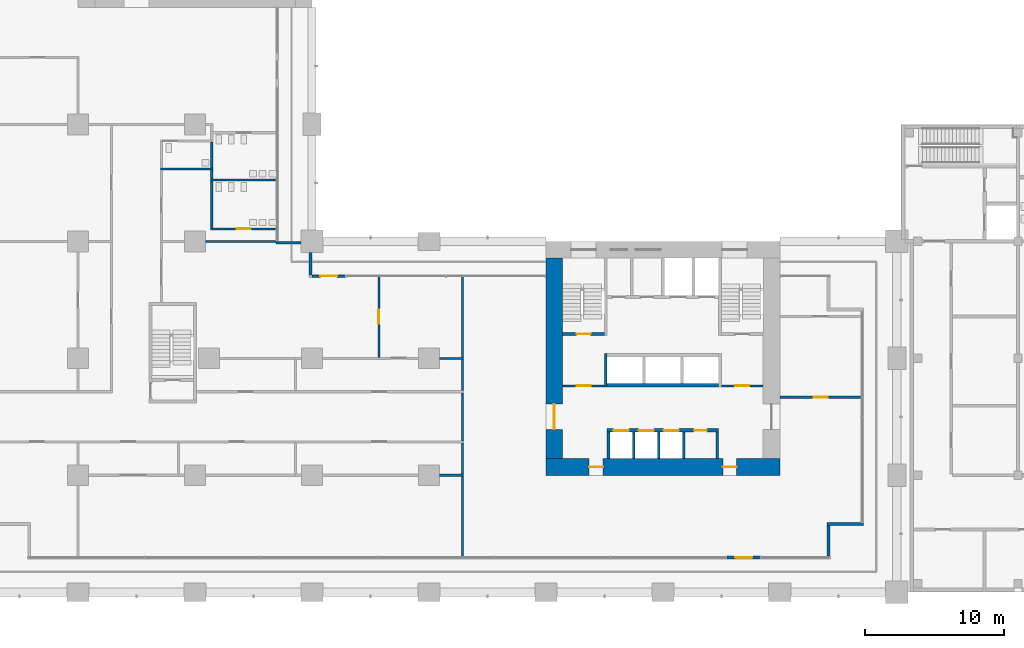
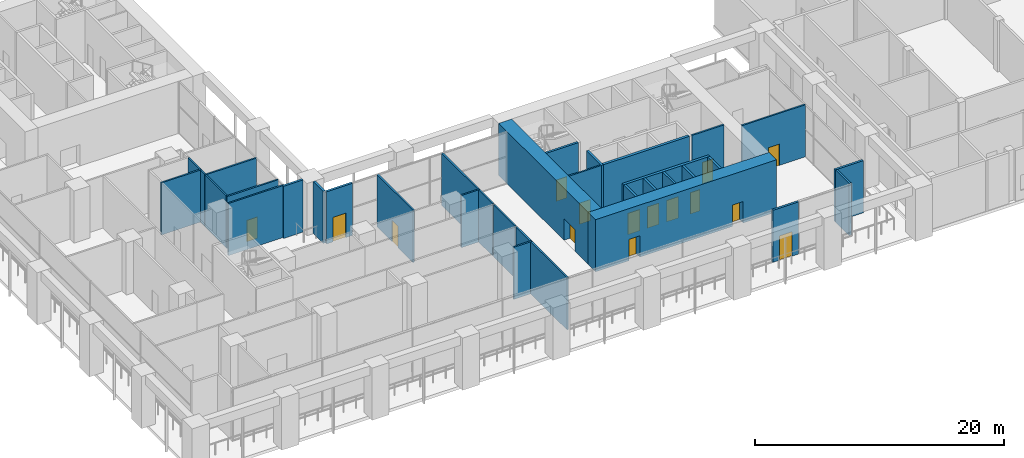
# One storey, part 15 of 32: 35 walls, 15 doors, 15 openings.
"""IFC4 building model written with IfcOpenShell, lengths in metres."""

from ifc_helpers import new_model, si_unit, direction, frame, frame_2d, origin, place, context, subcontext, project, spatial, rectangle, extrude, material, layer, layer_set, type_object, element, fill, save


model = new_model("IFC4")

# Units and contexts
model_context = context("Model", 3, precision=1e-05, world=origin(), true_north=direction((0.0, 1.0)))
body_context = subcontext(model_context, "Body", "Model", "MODEL_VIEW")
ifc_project = project(units=[si_unit("LENGTHUNIT", "METRE"), si_unit("AREAUNIT", "SQUARE_METRE"), si_unit("VOLUMEUNIT", "CUBIC_METRE"), si_unit("PLANEANGLEUNIT", "RADIAN"), si_unit("MASSUNIT", "GRAM", prefix="KILO")], contexts=[model_context])

# Site, building, storey
site_placement = place(None, origin())
site = spatial("IfcSite", under=ifc_project, at=site_placement, CompositionType="ELEMENT")
building_placement = place(site_placement, origin())
building = spatial("IfcBuilding", under=site, at=building_placement, Name="Vermilion Gate Residences", CompositionType="ELEMENT")
storey_placement = place(building_placement, frame((0.0, 0.0, 19.800048828125)))
storey = spatial("IfcBuildingStorey", under=building, at=storey_placement, Name="L03", CompositionType="ELEMENT", Elevation=19.800048828125)

# Wall, opening, door
ifc_material_1 = material(Name="Masonry blockwork", Category="masonry")
ifc_layer_1 = layer(ifc_material_1, 0.14990234375)
ifc_layer_set_1 = layer_set([ifc_layer_1], Name="BLOCKWORK PARTITION 150 EI 120")
wall_type_1 = type_object("IfcWallType", Name="BLOCKWORK PARTITION 150 EI 120", PredefinedType="PARTITIONING", material=ifc_layer_set_1)
wall_1_placement = place(storey_placement, frame((43.199951171875, 14.824951171875, 0.0), z_axis=(0.0, 0.0, 1.0), x_axis=(1.0, 0.0, 0.0)))
wall_1 = element("IfcWall", 1, at=wall_1_placement, inside=storey, type_object=wall_type_1, Name="Core room partition A03-VW-S", PredefinedType="PARTITIONING", context=body_context, shape_type="SweptSolid", body=[
    extrude(rectangle(XDim=3.0, YDim=0.14990234375, at=frame_2d((1.5, 0.0))), origin(), (0.0, 0.0, 1.0), 5.119873046875),
])
opening_1_placement = place(wall_1_placement, frame((1.0, 0.0, 0.0)))
opening_1 = element("IfcOpeningElement", 2, at=opening_1_placement, cuts=wall_1, Name="Opening DK03013", PredefinedType="OPENING", context=body_context, shape_type="SweptSolid", body=[
    extrude(rectangle(XDim=1.0, YDim=2.10009765625, at=frame_2d((0.5, 1.050048828125))), frame((0.0, 0.0849609375, 0.0), z_axis=(0.0, -1.0, 0.0), x_axis=(1.0, 0.0, 0.0)), (0.0, 0.0, 1.0), 0.169921875),
])
ifc_material_2 = material(Name="Steel", Category="steel")
door_type_1 = type_object("IfcDoorType", Name="FIRE DOOR FD60 1000 X 2100", OperationType="SINGLE_SWING_LEFT", PredefinedType="DOOR", material=ifc_material_2)
door_1_placement = place(opening_1_placement, frame((1.0, 0.0, 0.0), z_axis=(0.0, 0.0, 1.0), x_axis=(-1.0, 0.0, 0.0)))
door_1 = element("IfcDoor", 3, at=door_1_placement, inside=storey, type_object=door_type_1, Name="Stair vestibule door A03", OperationType="SINGLE_SWING_RIGHT", OverallHeight=2.10009765625, OverallWidth=1.0, PredefinedType="DOOR", context=body_context, shape_type="SweptSolid", body=[
    extrude(rectangle(XDim=1.0, YDim=2.10009765625, at=frame_2d((0.5, 1.050048828125))), frame((0.0, 0.02490234375, 0.0), z_axis=(0.0, -1.0, 0.0), x_axis=(1.0, 0.0, 0.0)), (0.0, 0.0, 1.0), 0.050048828125),
])
fill(opening_1, door_1)

wall_2_placement = place(storey_placement, frame((54.60009765625, 14.824951171875, 0.0), z_axis=(0.0, 0.0, 1.0), x_axis=(1.0, 0.0, 0.0)))
wall_2 = element("IfcWall", 4, at=wall_2_placement, inside=storey, type_object=wall_type_1, Name="Core room partition A03-VE-S", PredefinedType="PARTITIONING", context=body_context, shape_type="SweptSolid", body=[
    extrude(rectangle(XDim=3.0, YDim=0.14990234375, at=frame_2d((1.5, 0.0))), origin(), (0.0, 0.0, 1.0), 5.119873046875),
])
opening_2_placement = place(wall_2_placement, frame((1.0, 0.0, 0.0)))
opening_2 = element("IfcOpeningElement", 5, at=opening_2_placement, cuts=wall_2, Name="Opening DK03015", PredefinedType="OPENING", context=body_context, shape_type="SweptSolid", body=[
    extrude(rectangle(XDim=1.0, YDim=2.10009765625, at=frame_2d((0.5, 1.050048828125))), frame((0.0, 0.0849609375, 0.0), z_axis=(0.0, -1.0, 0.0), x_axis=(1.0, 0.0, 0.0)), (0.0, 0.0, 1.0), 0.169921875),
])
door_2_placement = place(opening_2_placement, frame((1.0, 0.0, 0.0), z_axis=(0.0, 0.0, 1.0), x_axis=(-1.0, 0.0, 0.0)))
door_2 = element("IfcDoor", 6, at=door_2_placement, inside=storey, type_object=door_type_1, Name="Stair vestibule door A03", OperationType="SINGLE_SWING_LEFT", OverallHeight=2.10009765625, OverallWidth=1.0, PredefinedType="DOOR", context=body_context, shape_type="SweptSolid", body=[
    extrude(rectangle(XDim=1.0, YDim=2.10009765625, at=frame_2d((0.5, 1.050048828125))), frame((0.0, 0.02490234375, 0.0), z_axis=(0.0, -1.0, 0.0), x_axis=(1.0, 0.0, 0.0)), (0.0, 0.0, 1.0), 0.050048828125),
])
fill(opening_2, door_2)

ifc_material_3 = material(Name="Insulated steel stud wall with terracotta rainscreen", Category="masonry")
ifc_layer_2 = layer(ifc_material_3, 0.199951171875)
ifc_layer_set_2 = layer_set([ifc_layer_2], Name="EXTERNAL WALL 200 TERRACOTTA RAINSCREEN")
wall_type_2 = type_object("IfcWallType", Name="EXTERNAL WALL 200 TERRACOTTA RAINSCREEN", PredefinedType="SOLIDWALL", material=ifc_layer_set_2)
wall_3_placement = place(storey_placement, frame((55.0, 2.5, 0.0), z_axis=(0.0, 0.0, 1.0), x_axis=(1.0, 0.0, 0.0)))
wall_3 = element("IfcWall", 7, at=wall_3_placement, inside=storey, type_object=wall_type_2, Name="External wall", PredefinedType="SOLIDWALL", context=body_context, shape_type="SweptSolid", body=[
    extrude(rectangle(XDim=2.39990234375, YDim=0.199951171875, at=frame_2d((1.199951171875, 0.0))), origin(), (0.0, 0.0, 1.0), 5.119873046875),
])
opening_3_placement = place(wall_3_placement, frame((0.60009765625, 0.0, 0.0)))
opening_3 = element("IfcOpeningElement", 8, at=opening_3_placement, cuts=wall_3, Name="Opening DE03001", PredefinedType="OPENING", context=body_context, shape_type="SweptSolid", body=[
    extrude(rectangle(XDim=1.199951171875, YDim=2.39990234375, at=frame_2d((0.60009765625, 1.199951171875))), frame((0.0, 0.10986328125, 0.0), z_axis=(0.0, -1.0, 0.0), x_axis=(1.0, 0.0, 0.0)), (0.0, 0.0, 1.0), 0.219970703125),
])
ifc_material_4 = material(Name="Aluminium and clear glass", Category="aluminium")
door_type_2 = type_object("IfcDoorType", Name="GLAZED EXTERNAL DOOR 1200 X 2400", OperationType="SINGLE_SWING_LEFT", PredefinedType="DOOR", material=ifc_material_4)
door_3_placement = place(opening_3_placement, frame((1.199951171875, 0.0, 0.0), z_axis=(0.0, 0.0, 1.0), x_axis=(-1.0, 0.0, 0.0)))
door_3 = element("IfcDoor", 9, at=door_3_placement, inside=storey, type_object=door_type_2, Name="Terrace door", OperationType="SINGLE_SWING_RIGHT", OverallHeight=2.39990234375, OverallWidth=1.199951171875, PredefinedType="DOOR", context=body_context, shape_type="SweptSolid", body=[
    extrude(rectangle(XDim=1.199951171875, YDim=2.39990234375, at=frame_2d((0.60009765625, 1.199951171875))), frame((0.0, 0.02490234375, 0.0), z_axis=(0.0, -1.0, 0.0), x_axis=(1.0, 0.0, 0.0)), (0.0, 0.0, 1.0), 0.050048828125),
])
fill(opening_3, door_3)

# Walls
wall_4_placement = place(storey_placement, frame((62.300048828125, 2.60009765625, 0.0), z_axis=(0.0, 0.0, 1.0), x_axis=(0.0, 1.0, 0.0)))
element("IfcWall", 10, at=wall_4_placement, inside=storey, type_object=wall_type_2, Name="External wall", PredefinedType="SOLIDWALL", context=body_context, shape_type="SweptSolid", body=[
    extrude(rectangle(XDim=2.199951171875, YDim=0.199951171875, at=frame_2d((1.10009765625, 0.0))), origin(), (0.0, 0.0, 1.0), 5.119873046875),
])
wall_5_placement = place(storey_placement, frame((62.199951171875, 4.89990234375, 0.0), z_axis=(0.0, 0.0, 1.0), x_axis=(1.0, 0.0, 0.0)))
element("IfcWall", 11, at=wall_5_placement, inside=storey, type_object=wall_type_2, Name="External wall", PredefinedType="SOLIDWALL", context=body_context, shape_type="SweptSolid", body=[
    extrude(rectangle(XDim=2.60009765625, YDim=0.199951171875, at=frame_2d((1.300048828125, 0.0))), origin(), (0.0, 0.0, 1.0), 5.119873046875),
])

# Wall, opening, door
wall_6_placement = place(storey_placement, frame((27.60009765625, 22.699951171875, 0.0), z_axis=(0.0, 0.0, 1.0), x_axis=(-1.0, 0.0, 0.0)))
wall_6 = element("IfcWall", 12, at=wall_6_placement, inside=storey, type_object=wall_type_2, Name="External wall", PredefinedType="SOLIDWALL", context=body_context, shape_type="SweptSolid", body=[
    extrude(rectangle(XDim=2.400146484375, YDim=0.199951171875, at=frame_2d((1.2001953125, 0.0))), origin(), (0.0, 0.0, 1.0), 5.119873046875),
])
opening_4_placement = place(wall_6_placement, frame((0.60009765625, 0.0, 0.0)))
opening_4 = element("IfcOpeningElement", 13, at=opening_4_placement, cuts=wall_6, Name="Opening DE03002", PredefinedType="OPENING", context=body_context, shape_type="SweptSolid", body=[
    extrude(rectangle(XDim=1.199951171875, YDim=2.39990234375, at=frame_2d((0.60009765625, 1.199951171875))), frame((0.0, 0.10986328125, 0.0), z_axis=(0.0, -1.0, 0.0), x_axis=(1.0, 0.0, 0.0)), (0.0, 0.0, 1.0), 0.219970703125),
])
door_4_placement = place(opening_4_placement, frame((1.199951171875, 0.0, 0.0), z_axis=(0.0, 0.0, 1.0), x_axis=(-1.0, 0.0, 0.0)))
door_4 = element("IfcDoor", 14, at=door_4_placement, inside=storey, type_object=door_type_2, Name="Terrace door", OperationType="SINGLE_SWING_LEFT", OverallHeight=2.39990234375, OverallWidth=1.199951171875, PredefinedType="DOOR", context=body_context, shape_type="SweptSolid", body=[
    extrude(rectangle(XDim=1.199951171875, YDim=2.39990234375, at=frame_2d((0.60009765625, 1.199951171875))), frame((0.0, 0.02490234375, 0.0), z_axis=(0.0, -1.0, 0.0), x_axis=(1.0, 0.0, 0.0)), (0.0, 0.0, 1.0), 0.050048828125),
])
fill(opening_4, door_4)

# Walls
wall_7_placement = place(storey_placement, frame((25.10009765625, 22.800048828125, 0.0), z_axis=(0.0, 0.0, 1.0), x_axis=(0.0, 1.0, 0.0)))
element("IfcWall", 15, at=wall_7_placement, inside=storey, type_object=wall_type_2, Name="External wall", PredefinedType="SOLIDWALL", context=body_context, shape_type="SweptSolid", body=[
    extrude(rectangle(XDim=1.599853515625, YDim=0.199951171875, at=frame_2d((0.7998046875, 0.0))), origin(), (0.0, 0.0, 1.0), 5.119873046875),
])
wall_8_placement = place(storey_placement, frame((24.39990234375, 25.10009765625, 0.0), z_axis=(0.0, 0.0, 1.0), x_axis=(-1.0, 0.0, 0.0)))
element("IfcWall", 16, at=wall_8_placement, inside=storey, type_object=wall_type_2, Name="External wall", PredefinedType="SOLIDWALL", context=body_context, shape_type="SweptSolid", body=[
    extrude(rectangle(XDim=1.7998046875, YDim=0.199951171875, at=frame_2d((0.89990234375, 0.0))), origin(), (0.0, 0.0, 1.0), 5.119873046875),
])
ifc_material_5 = material(Name="Gypsum board on steel studs", Category="steel")
ifc_layer_3 = layer(ifc_material_5, 0.14990234375)
ifc_layer_set_3 = layer_set([ifc_layer_3], Name="PARTITION 150 EI 60 (AMENITY)")
wall_type_3 = type_object("IfcWallType", Name="PARTITION 150 EI 60 (AMENITY)", PredefinedType="PARTITIONING", material=ifc_layer_set_3)
wall_9_placement = place(storey_placement, frame((17.550048828125, 25.199951171875, 0.0), z_axis=(0.0, 0.0, 1.0), x_axis=(1.0, 0.0, 0.0)))
element("IfcWall", 17, at=wall_9_placement, inside=storey, type_object=wall_type_3, Name="Partition 23", PredefinedType="PARTITIONING", context=body_context, shape_type="SweptSolid", body=[
    extrude(rectangle(XDim=5.14990234375, YDim=0.14990234375, at=frame_2d((2.574951171875, 0.0))), origin(), (0.0, 0.0, 1.0), 5.119873046875),
])
wall_10_placement = place(storey_placement, frame((14.324951171875, 30.39990234375, 0.0), z_axis=(0.0, 0.0, 1.0), x_axis=(1.0, 0.0, 0.0)))
element("IfcWall", 18, at=wall_10_placement, inside=storey, type_object=wall_type_3, Name="Partition 25", PredefinedType="PARTITIONING", context=body_context, shape_type="SweptSolid", body=[
    extrude(rectangle(XDim=3.75, YDim=0.14990234375, at=frame_2d((1.875, 0.0))), origin(), (0.0, 0.0, 1.0), 5.119873046875),
])
wall_11_placement = place(storey_placement, frame((18.0, 26.175048828125, 0.0), z_axis=(0.0, 0.0, 1.0), x_axis=(0.0, 1.0, 0.0)))
element("IfcWall", 19, at=wall_11_placement, inside=storey, type_object=wall_type_3, Name="Partition 33", PredefinedType="PARTITIONING", context=body_context, shape_type="SweptSolid", body=[
    extrude(rectangle(XDim=3.349853515625, YDim=0.14990234375, at=frame_2d((1.6748046875, 0.0))), origin(), (0.0, 0.0, 1.0), 5.119873046875),
])

# Wall, opening, door
wall_12_placement = place(storey_placement, frame((17.925048828125, 26.10009765625, 0.0), z_axis=(0.0, 0.0, 1.0), x_axis=(1.0, 0.0, 0.0)))
wall_12 = element("IfcWall", 20, at=wall_12_placement, inside=storey, type_object=wall_type_3, Name="Partition 34", PredefinedType="PARTITIONING", context=body_context, shape_type="SweptSolid", body=[
    extrude(rectangle(XDim=4.77490234375, YDim=0.14990234375, at=frame_2d((2.387451171875, 0.0))), origin(), (0.0, 0.0, 1.0), 5.119873046875),
])
opening_5_placement = place(wall_12_placement, frame((1.887451171875, 0.0, 0.0)))
opening_5 = element("IfcOpeningElement", 21, at=opening_5_placement, cuts=wall_12, Name="Opening DM03014", PredefinedType="OPENING", context=body_context, shape_type="SweptSolid", body=[
    extrude(rectangle(XDim=1.0, YDim=2.10009765625, at=frame_2d((0.5, 1.050048828125))), frame((0.0, 0.0849609375, 0.0), z_axis=(0.0, -1.0, 0.0), x_axis=(1.0, 0.0, 0.0)), (0.0, 0.0, 1.0), 0.169921875),
])
ifc_material_6 = material(Name="Steel", Category="steel")
door_type_3 = type_object("IfcDoorType", Name="DOOR 1000 X 2100 FD30 (AMENITY)", OperationType="SINGLE_SWING_LEFT", PredefinedType="DOOR", material=ifc_material_6)
door_5_placement = place(opening_5_placement, origin())
door_5 = element("IfcDoor", 22, at=door_5_placement, inside=storey, type_object=door_type_3, Name="Door L03 14", OperationType="SINGLE_SWING_LEFT", OverallHeight=2.10009765625, OverallWidth=1.0, PredefinedType="DOOR", context=body_context, shape_type="SweptSolid", body=[
    extrude(rectangle(XDim=1.0, YDim=2.10009765625, at=frame_2d((0.5, 1.050048828125))), frame((0.0, 0.02490234375, 0.0), z_axis=(0.0, -1.0, 0.0), x_axis=(1.0, 0.0, 0.0)), (0.0, 0.0, 1.0), 0.050048828125),
])
fill(opening_5, door_5)

# Walls
wall_13_placement = place(storey_placement, frame((18.0, 29.675048828125, 0.0), z_axis=(0.0, 0.0, 1.0), x_axis=(0.0, 1.0, 0.0)))
element("IfcWall", 23, at=wall_13_placement, inside=storey, type_object=wall_type_3, Name="Partition 35", PredefinedType="PARTITIONING", context=body_context, shape_type="SweptSolid", body=[
    extrude(rectangle(XDim=0.64990234375, YDim=0.14990234375, at=frame_2d((0.324951171875, 0.0))), origin(), (0.0, 0.0, 1.0), 5.119873046875),
])
wall_14_placement = place(storey_placement, frame((17.925048828125, 29.60009765625, 0.0), z_axis=(0.0, 0.0, 1.0), x_axis=(1.0, 0.0, 0.0)))
element("IfcWall", 24, at=wall_14_placement, inside=storey, type_object=wall_type_3, Name="Partition 36", PredefinedType="PARTITIONING", context=body_context, shape_type="SweptSolid", body=[
    extrude(rectangle(XDim=4.77490234375, YDim=0.14990234375, at=frame_2d((2.387451171875, 0.0))), origin(), (0.0, 0.0, 1.0), 5.119873046875),
])
wall_15_placement = place(storey_placement, frame((18.0, 30.47509765625, 0.0), z_axis=(0.0, 0.0, 1.0), x_axis=(0.0, 1.0, 0.0)))
element("IfcWall", 25, at=wall_15_placement, inside=storey, type_object=wall_type_3, Name="Partition 37", PredefinedType="PARTITIONING", context=body_context, shape_type="SweptSolid", body=[
    extrude(rectangle(XDim=1.849853515625, YDim=0.14990234375, at=frame_2d((0.9248046875, 0.0))), origin(), (0.0, 0.0, 1.0), 5.119873046875),
])
wall_16_placement = place(storey_placement, frame((34.35009765625, 8.39990234375, 0.0), z_axis=(0.0, 0.0, 1.0), x_axis=(1.0, 0.0, 0.0)))
element("IfcWall", 26, at=wall_16_placement, inside=storey, type_object=wall_type_3, Name="Partition 44", PredefinedType="PARTITIONING", context=body_context, shape_type="SweptSolid", body=[
    extrude(rectangle(XDim=1.724853515625, YDim=0.14990234375, at=frame_2d((0.8623046875, 0.0))), origin(), (0.0, 0.0, 1.0), 5.119873046875),
])

# Wall, opening, door
wall_17_placement = place(storey_placement, frame((30.0, 16.875, 0.0), z_axis=(0.0, 0.0, 1.0), x_axis=(0.0, 1.0, 0.0)))
wall_17 = element("IfcWall", 27, at=wall_17_placement, inside=storey, type_object=wall_type_3, Name="Partition 50", PredefinedType="PARTITIONING", context=body_context, shape_type="SweptSolid", body=[
    extrude(rectangle(XDim=5.824951171875, YDim=0.14990234375, at=frame_2d((2.91259765625, 0.0))), origin(), (0.0, 0.0, 1.0), 5.119873046875),
])
opening_6_placement = place(wall_17_placement, frame((2.41259765625, 0.0, 0.0)))
opening_6 = element("IfcOpeningElement", 28, at=opening_6_placement, cuts=wall_17, Name="Opening DM03007", PredefinedType="OPENING", context=body_context, shape_type="SweptSolid", body=[
    extrude(rectangle(XDim=1.0, YDim=2.10009765625, at=frame_2d((0.5, 1.050048828125))), frame((0.0, 0.0849609375, 0.0), z_axis=(0.0, -1.0, 0.0), x_axis=(1.0, 0.0, 0.0)), (0.0, 0.0, 1.0), 0.169921875),
])
door_6_placement = place(opening_6_placement, frame((1.0, 0.0, 0.0), z_axis=(0.0, 0.0, 1.0), x_axis=(-1.0, 0.0, 0.0)))
door_6 = element("IfcDoor", 29, at=door_6_placement, inside=storey, type_object=door_type_3, Name="Door L03 7", OperationType="SINGLE_SWING_LEFT", OverallHeight=2.10009765625, OverallWidth=1.0, PredefinedType="DOOR", context=body_context, shape_type="SweptSolid", body=[
    extrude(rectangle(XDim=1.0, YDim=2.10009765625, at=frame_2d((0.5, 1.050048828125))), frame((0.0, 0.02490234375, 0.0), z_axis=(0.0, -1.0, 0.0), x_axis=(1.0, 0.0, 0.0)), (0.0, 0.0, 1.0), 0.050048828125),
])
fill(opening_6, door_6)

# Walls
wall_18_placement = place(storey_placement, frame((34.35009765625, 16.800048828125, 0.0), z_axis=(0.0, 0.0, 1.0), x_axis=(1.0, 0.0, 0.0)))
element("IfcWall", 30, at=wall_18_placement, inside=storey, type_object=wall_type_3, Name="Partition 52", PredefinedType="PARTITIONING", context=body_context, shape_type="SweptSolid", body=[
    extrude(rectangle(XDim=1.724853515625, YDim=0.14990234375, at=frame_2d((0.8623046875, 0.0))), origin(), (0.0, 0.0, 1.0), 5.119873046875),
])
wall_19_placement = place(storey_placement, frame((36.0, 2.5, 0.0), z_axis=(0.0, 0.0, 1.0), x_axis=(0.0, 1.0, 0.0)))
element("IfcWall", 31, at=wall_19_placement, inside=storey, type_object=wall_type_3, Name="Partition 53", PredefinedType="PARTITIONING", context=body_context, shape_type="SweptSolid", body=[
    extrude(rectangle(XDim=5.824951171875, YDim=0.14990234375, at=frame_2d((2.91259765625, 0.0))), origin(), (0.0, 0.0, 1.0), 5.119873046875),
])
wall_20_placement = place(storey_placement, frame((36.0, 8.47509765625, 0.0), z_axis=(0.0, 0.0, 1.0), x_axis=(0.0, 1.0, 0.0)))
element("IfcWall", 32, at=wall_20_placement, inside=storey, type_object=wall_type_3, Name="Partition 54", PredefinedType="PARTITIONING", context=body_context, shape_type="SweptSolid", body=[
    extrude(rectangle(XDim=2.25, YDim=0.14990234375, at=frame_2d((1.125, 0.0))), origin(), (0.0, 0.0, 1.0), 5.119873046875),
])
wall_21_placement = place(storey_placement, frame((36.0, 10.875, 0.0), z_axis=(0.0, 0.0, 1.0), x_axis=(0.0, 1.0, 0.0)))
element("IfcWall", 33, at=wall_21_placement, inside=storey, type_object=wall_type_3, Name="Partition 55", PredefinedType="PARTITIONING", context=body_context, shape_type="SweptSolid", body=[
    extrude(rectangle(XDim=3.449951171875, YDim=0.14990234375, at=frame_2d((1.72509765625, 0.0))), origin(), (0.0, 0.0, 1.0), 5.119873046875),
])
wall_22_placement = place(storey_placement, frame((36.0, 14.47509765625, 0.0), z_axis=(0.0, 0.0, 1.0), x_axis=(0.0, 1.0, 0.0)))
element("IfcWall", 34, at=wall_22_placement, inside=storey, type_object=wall_type_3, Name="Partition 56", PredefinedType="PARTITIONING", context=body_context, shape_type="SweptSolid", body=[
    extrude(rectangle(XDim=2.25, YDim=0.14990234375, at=frame_2d((1.125, 0.0))), origin(), (0.0, 0.0, 1.0), 5.119873046875),
])
wall_23_placement = place(storey_placement, frame((36.0, 16.875, 0.0), z_axis=(0.0, 0.0, 1.0), x_axis=(0.0, 1.0, 0.0)))
element("IfcWall", 35, at=wall_23_placement, inside=storey, type_object=wall_type_3, Name="Partition 57", PredefinedType="PARTITIONING", context=body_context, shape_type="SweptSolid", body=[
    extrude(rectangle(XDim=5.824951171875, YDim=0.14990234375, at=frame_2d((2.91259765625, 0.0))), origin(), (0.0, 0.0, 1.0), 5.119873046875),
])

# Wall, opening, door
wall_24_placement = place(storey_placement, frame((58.800048828125, 14.0, 0.0), z_axis=(0.0, 0.0, 1.0), x_axis=(1.0, 0.0, 0.0)))
wall_24 = element("IfcWall", 36, at=wall_24_placement, inside=storey, type_object=wall_type_3, Name="Partition 58", PredefinedType="PARTITIONING", context=body_context, shape_type="SweptSolid", body=[
    extrude(rectangle(XDim=5.89990234375, YDim=0.14990234375, at=frame_2d((2.949951171875, 0.0))), origin(), (0.0, 0.0, 1.0), 5.119873046875),
])
opening_7_placement = place(wall_24_placement, frame((2.449951171875, 0.0, 0.0)))
opening_7 = element("IfcOpeningElement", 37, at=opening_7_placement, cuts=wall_24, Name="Opening DM03019", PredefinedType="OPENING", context=body_context, shape_type="SweptSolid", body=[
    extrude(rectangle(XDim=1.0, YDim=2.10009765625, at=frame_2d((0.5, 1.050048828125))), frame((0.0, 0.0849609375, 0.0), z_axis=(0.0, -1.0, 0.0), x_axis=(1.0, 0.0, 0.0)), (0.0, 0.0, 1.0), 0.169921875),
])
door_7_placement = place(opening_7_placement, origin())
door_7 = element("IfcDoor", 38, at=door_7_placement, inside=storey, type_object=door_type_3, Name="Door L03 19", OperationType="SINGLE_SWING_RIGHT", OverallHeight=2.10009765625, OverallWidth=1.0, PredefinedType="DOOR", context=body_context, shape_type="SweptSolid", body=[
    extrude(rectangle(XDim=1.0, YDim=2.10009765625, at=frame_2d((0.5, 1.050048828125))), frame((0.0, 0.02490234375, 0.0), z_axis=(0.0, -1.0, 0.0), x_axis=(1.0, 0.0, 0.0)), (0.0, 0.0, 1.0), 0.050048828125),
])
fill(opening_7, door_7)

# Walls
ifc_material_7 = material(Name="Concrete C60", Category="concrete")
ifc_layer_4 = layer(ifc_material_7, 0.199951171875)
ifc_layer_set_4 = layer_set([ifc_layer_4], Name="RC CORE INTERNAL WALL 200 C60")
wall_type_4 = type_object("IfcWallType", Name="RC CORE INTERNAL WALL 200 C60", PredefinedType="SHEAR", material=ifc_layer_set_4)
for number, where, z_axis, x_axis, name in (
    (39, (46.5, 9.60009765625, 0.0), (0.0, 0.0, 1.0), (0.0, 1.0, 0.0), "Core internal wall A03-LR-D0"),
    (40, (48.300048828125, 9.60009765625, 0.0), (0.0, 0.0, 1.0), (0.0, 1.0, 0.0), "Core internal wall A03-LR-D1"),
    (41, (50.10009765625, 9.60009765625, 0.0), (0.0, 0.0, 1.0), (0.0, 1.0, 0.0), "Core internal wall A03-LR-D2"),
    (42, (51.89990234375, 9.60009765625, 0.0), (0.0, 0.0, 1.0), (0.0, 1.0, 0.0), "Core internal wall A03-LR-D3"),
    (43, (54.300048828125, 9.60009765625, 0.0), (0.0, 0.0, 1.0), (0.0, 1.0, 0.0), "Core internal wall A03-LR-DE"),
):
    element("IfcWall", number, at=place(storey_placement, frame(where, z_axis=z_axis, x_axis=x_axis)), inside=storey, type_object=wall_type_4, Name=name, PredefinedType="SHEAR", context=body_context, shape_type="SweptSolid", body=[
        extrude(rectangle(XDim=1.89990234375, YDim=0.199951171875, at=frame_2d((0.949951171875, 0.0))), origin(), (0.0, 0.0, 1.0), 5.119873046875),
    ])
wall_25_placement = place(storey_placement, frame((46.300048828125, 14.75, 0.0), z_axis=(0.0, 0.0, 1.0), x_axis=(0.0, 1.0, 0.0)))
element("IfcWall", 44, at=wall_25_placement, inside=storey, type_object=wall_type_4, Name="Core internal wall A03-WDIV1", PredefinedType="SHEAR", context=body_context, shape_type="SweptSolid", body=[
    extrude(rectangle(XDim=2.39990234375, YDim=0.199951171875, at=frame_2d((1.199951171875, 0.0))), origin(), (0.0, 0.0, 1.0), 5.119873046875),
])

# Wall, opening, door
wall_26_placement = place(storey_placement, frame((43.199951171875, 18.550048828125, 0.0), z_axis=(0.0, 0.0, 1.0), x_axis=(1.0, 0.0, 0.0)))
wall_26 = element("IfcWall", 45, at=wall_26_placement, inside=storey, type_object=wall_type_4, Name="Core internal wall A03-STW-S", PredefinedType="SHEAR", context=body_context, shape_type="SweptSolid", body=[
    extrude(rectangle(XDim=3.0, YDim=0.199951171875, at=frame_2d((1.5, 0.0))), origin(), (0.0, 0.0, 1.0), 5.119873046875),
])
opening_8_placement = place(wall_26_placement, frame((1.0, 0.0, 0.0)))
opening_8 = element("IfcOpeningElement", 46, at=opening_8_placement, cuts=wall_26, Name="Opening DK03014", PredefinedType="OPENING", context=body_context, shape_type="SweptSolid", body=[
    extrude(rectangle(XDim=1.0, YDim=2.10009765625, at=frame_2d((0.5, 1.050048828125))), frame((0.0, 0.10986328125, 0.0), z_axis=(0.0, -1.0, 0.0), x_axis=(1.0, 0.0, 0.0)), (0.0, 0.0, 1.0), 0.219970703125),
])
door_8_placement = place(opening_8_placement, origin())
door_8 = element("IfcDoor", 47, at=door_8_placement, inside=storey, type_object=door_type_1, Name="Stair door A03", OperationType="SINGLE_SWING_RIGHT", OverallHeight=2.10009765625, OverallWidth=1.0, PredefinedType="DOOR", context=body_context, shape_type="SweptSolid", body=[
    extrude(rectangle(XDim=1.0, YDim=2.10009765625, at=frame_2d((0.5, 1.050048828125))), frame((0.0, 0.02490234375, 0.0), z_axis=(0.0, -1.0, 0.0), x_axis=(1.0, 0.0, 0.0)), (0.0, 0.0, 1.0), 0.050048828125),
])
fill(opening_8, door_8)

# Wall, openings, doors
ifc_material_8 = material(Name="Concrete C80", Category="concrete")
ifc_layer_5 = layer(ifc_material_8, 1.199951171875)
ifc_layer_set_5 = layer_set([ifc_layer_5], Name="RC CORE WALL 1200 C80")
wall_type_5 = type_object("IfcWallType", Name="RC CORE WALL 1200 C80", PredefinedType="SHEAR", material=ifc_layer_set_5)
wall_27_placement = place(storey_placement, frame((42.0, 9.0, 0.0), z_axis=(0.0, 0.0, 1.0), x_axis=(1.0, 0.0, 0.0)))
wall_27 = element("IfcWall", 48, at=wall_27_placement, inside=storey, type_object=wall_type_5, Name="Core wall A03-OUT-B0", PredefinedType="SHEAR", context=body_context, shape_type="SweptSolid", body=[
    extrude(rectangle(XDim=16.800048828125, YDim=1.199951171875, at=frame_2d((8.39990234375, 0.0))), origin(), (0.0, 0.0, 1.0), 5.119873046875),
])
opening_9_placement = place(wall_27_placement, frame((3.10009765625, 0.0, 0.0)))
opening_9 = element("IfcOpeningElement", 49, at=opening_9_placement, cuts=wall_27, Name="Opening DK03001", PredefinedType="OPENING", context=body_context, shape_type="SweptSolid", body=[
    extrude(rectangle(XDim=1.0, YDim=2.10009765625, at=frame_2d((0.5, 1.050048828125))), frame((0.0, 0.60986328125, 0.0), z_axis=(0.0, -1.0, 0.0), x_axis=(1.0, 0.0, 0.0)), (0.0, 0.0, 1.0), 1.219970703125),
])
opening_10_placement = place(wall_27_placement, frame((12.699951171875, 0.0, 0.0)))
opening_10 = element("IfcOpeningElement", 50, at=opening_10_placement, cuts=wall_27, Name="Opening DK03002", PredefinedType="OPENING", context=body_context, shape_type="SweptSolid", body=[
    extrude(rectangle(XDim=1.0, YDim=2.10009765625, at=frame_2d((0.5, 1.050048828125))), frame((0.0, 0.60986328125, 0.0), z_axis=(0.0, -1.0, 0.0), x_axis=(1.0, 0.0, 0.0)), (0.0, 0.0, 1.0), 1.219970703125),
])
door_9_placement = place(opening_9_placement, origin())
door_9 = element("IfcDoor", 51, at=door_9_placement, inside=storey, type_object=door_type_1, Name="Core lobby side door A03", OperationType="SINGLE_SWING_RIGHT", OverallHeight=2.10009765625, OverallWidth=1.0, PredefinedType="DOOR", context=body_context, shape_type="SweptSolid", body=[
    extrude(rectangle(XDim=1.0, YDim=2.10009765625, at=frame_2d((0.5, 1.050048828125))), frame((0.0, 0.02490234375, 0.0), z_axis=(0.0, -1.0, 0.0), x_axis=(1.0, 0.0, 0.0)), (0.0, 0.0, 1.0), 0.050048828125),
])
fill(opening_9, door_9)
door_10_placement = place(opening_10_placement, origin())
door_10 = element("IfcDoor", 52, at=door_10_placement, inside=storey, type_object=door_type_1, Name="Core lobby side door A03", OperationType="SINGLE_SWING_LEFT", OverallHeight=2.10009765625, OverallWidth=1.0, PredefinedType="DOOR", context=body_context, shape_type="SweptSolid", body=[
    extrude(rectangle(XDim=1.0, YDim=2.10009765625, at=frame_2d((0.5, 1.050048828125))), frame((0.0, 0.02490234375, 0.0), z_axis=(0.0, -1.0, 0.0), x_axis=(1.0, 0.0, 0.0)), (0.0, 0.0, 1.0), 0.050048828125),
])
fill(opening_10, door_10)

# Wall, opening, door
wall_28_placement = place(storey_placement, frame((42.60009765625, 9.60009765625, 0.0), z_axis=(0.0, 0.0, 1.0), x_axis=(0.0, 1.0, 0.0)))
wall_28 = element("IfcWall", 53, at=wall_28_placement, inside=storey, type_object=wall_type_5, Name="Core wall A03-OUT-FR", PredefinedType="SHEAR", context=body_context, shape_type="SweptSolid", body=[
    extrude(rectangle(XDim=14.39990234375, YDim=1.199951171875, at=frame_2d((7.199951171875, 0.0))), origin(), (0.0, 0.0, 1.0), 5.119873046875),
])
opening_11_placement = place(wall_28_placement, frame((2.10009765625, 0.0, 0.0)))
opening_11 = element("IfcOpeningElement", 54, at=opening_11_placement, cuts=wall_28, Name="Opening DK03003", PredefinedType="OPENING", context=body_context, shape_type="SweptSolid", body=[
    extrude(rectangle(XDim=1.800048828125, YDim=2.10009765625, at=frame_2d((0.89990234375, 1.050048828125))), frame((0.0, 0.60986328125, 0.0), z_axis=(0.0, -1.0, 0.0), x_axis=(1.0, 0.0, 0.0)), (0.0, 0.0, 1.0), 1.219970703125),
])
ifc_material_9 = material(Name="Steel", Category="steel")
door_type_4 = type_object("IfcDoorType", Name="CORE LOBBY DOOR FD60 1800 X 2100", OperationType="DOUBLE_DOOR_SINGLE_SWING", PredefinedType="DOOR", material=ifc_material_9)
door_11_placement = place(opening_11_placement, frame((1.800048828125, 0.0, 0.0), z_axis=(0.0, 0.0, 1.0), x_axis=(-1.0, 0.0, 0.0)))
door_11 = element("IfcDoor", 55, at=door_11_placement, inside=storey, type_object=door_type_4, Name="Core lobby door A03", OperationType="DOUBLE_DOOR_SINGLE_SWING", OverallHeight=2.10009765625, OverallWidth=1.800048828125, PredefinedType="DOOR", context=body_context, shape_type="SweptSolid", body=[
    extrude(rectangle(XDim=1.800048828125, YDim=2.10009765625, at=frame_2d((0.89990234375, 1.050048828125))), frame((0.0, 0.02490234375, 0.0), z_axis=(0.0, -1.0, 0.0), x_axis=(1.0, 0.0, 0.0)), (0.0, 0.0, 1.0), 0.050048828125),
])
fill(opening_11, door_11)

# Wall, openings, doors
ifc_material_10 = material(Name="Concrete C60", Category="concrete")
ifc_layer_6 = layer(ifc_material_10, 0.25)
ifc_layer_set_6 = layer_set([ifc_layer_6], Name="RC LIFT SHAFT WALL 250 C60")
wall_type_6 = type_object("IfcWallType", Name="RC LIFT SHAFT WALL 250 C60", PredefinedType="SHEAR", material=ifc_layer_set_6)
wall_29_placement = place(storey_placement, frame((46.39990234375, 11.625, 0.0), z_axis=(0.0, 0.0, 1.0), x_axis=(1.0, 0.0, 0.0)))
wall_29 = element("IfcWall", 56, at=wall_29_placement, inside=storey, type_object=wall_type_6, Name="Lift shaft wall A03-LR-F", PredefinedType="SHEAR", context=body_context, shape_type="SweptSolid", body=[
    extrude(rectangle(XDim=8.0, YDim=0.25, at=frame_2d((4.0, 0.0))), origin(), (0.0, 0.0, 1.0), 5.119873046875),
])
opening_12_placement = place(wall_29_placement, frame((0.449951171875, 0.0, 0.0)))
opening_12 = element("IfcOpeningElement", 57, at=opening_12_placement, cuts=wall_29, Name="Opening LD", PredefinedType="OPENING", context=body_context, shape_type="SweptSolid", body=[
    extrude(rectangle(XDim=1.10009765625, YDim=2.10009765625, at=frame_2d((0.550048828125, 1.050048828125))), frame((0.0, 0.135009765625, 0.0), z_axis=(0.0, -1.0, 0.0), x_axis=(1.0, 0.0, 0.0)), (0.0, 0.0, 1.0), 0.27001953125),
])
opening_13_placement = place(wall_29_placement, frame((2.25, 0.0, 0.0)))
opening_13 = element("IfcOpeningElement", 58, at=opening_13_placement, cuts=wall_29, Name="Opening LD", PredefinedType="OPENING", context=body_context, shape_type="SweptSolid", body=[
    extrude(rectangle(XDim=1.10009765625, YDim=2.10009765625, at=frame_2d((0.550048828125, 1.050048828125))), frame((0.0, 0.135009765625, 0.0), z_axis=(0.0, -1.0, 0.0), x_axis=(1.0, 0.0, 0.0)), (0.0, 0.0, 1.0), 0.27001953125),
])
opening_14_placement = place(wall_29_placement, frame((4.050048828125, 0.0, 0.0)))
opening_14 = element("IfcOpeningElement", 59, at=opening_14_placement, cuts=wall_29, Name="Opening LD", PredefinedType="OPENING", context=body_context, shape_type="SweptSolid", body=[
    extrude(rectangle(XDim=1.10009765625, YDim=2.10009765625, at=frame_2d((0.550048828125, 1.050048828125))), frame((0.0, 0.135009765625, 0.0), z_axis=(0.0, -1.0, 0.0), x_axis=(1.0, 0.0, 0.0)), (0.0, 0.0, 1.0), 0.27001953125),
])
opening_15_placement = place(wall_29_placement, frame((6.25, 0.0, 0.0)))
opening_15 = element("IfcOpeningElement", 60, at=opening_15_placement, cuts=wall_29, Name="Opening DK03008", PredefinedType="OPENING", context=body_context, shape_type="SweptSolid", body=[
    extrude(rectangle(XDim=0.89990234375, YDim=2.10009765625, at=frame_2d((0.449951171875, 1.050048828125))), frame((0.0, 0.135009765625, 0.0), z_axis=(0.0, -1.0, 0.0), x_axis=(1.0, 0.0, 0.0)), (0.0, 0.0, 1.0), 0.27001953125),
])
ifc_material_11 = material(Name="Stainless steel", Category="steel")
door_type_5 = type_object("IfcDoorType", Name="LIFT LANDING DOOR E60 1100 X 2100", OperationType="DOUBLE_DOOR_SLIDING", PredefinedType="DOOR", material=ifc_material_11)
door_12_placement = place(opening_12_placement, origin())
door_12 = element("IfcDoor", 61, at=door_12_placement, inside=storey, type_object=door_type_5, Name="Lift landing door LRA1", OperationType="DOUBLE_DOOR_SLIDING", OverallHeight=2.10009765625, OverallWidth=1.10009765625, PredefinedType="DOOR", context=body_context, shape_type="SweptSolid", body=[
    extrude(rectangle(XDim=1.10009765625, YDim=2.10009765625, at=frame_2d((0.550048828125, 1.050048828125))), frame((0.0, 0.02490234375, 0.0), z_axis=(0.0, -1.0, 0.0), x_axis=(1.0, 0.0, 0.0)), (0.0, 0.0, 1.0), 0.050048828125),
])
fill(opening_12, door_12)
door_13_placement = place(opening_13_placement, origin())
door_13 = element("IfcDoor", 62, at=door_13_placement, inside=storey, type_object=door_type_5, Name="Lift landing door LRA2", OperationType="DOUBLE_DOOR_SLIDING", OverallHeight=2.10009765625, OverallWidth=1.10009765625, PredefinedType="DOOR", context=body_context, shape_type="SweptSolid", body=[
    extrude(rectangle(XDim=1.10009765625, YDim=2.10009765625, at=frame_2d((0.550048828125, 1.050048828125))), frame((0.0, 0.02490234375, 0.0), z_axis=(0.0, -1.0, 0.0), x_axis=(1.0, 0.0, 0.0)), (0.0, 0.0, 1.0), 0.050048828125),
])
fill(opening_13, door_13)
door_14_placement = place(opening_14_placement, origin())
door_14 = element("IfcDoor", 63, at=door_14_placement, inside=storey, type_object=door_type_5, Name="Lift landing door LRA3", OperationType="DOUBLE_DOOR_SLIDING", OverallHeight=2.10009765625, OverallWidth=1.10009765625, PredefinedType="DOOR", context=body_context, shape_type="SweptSolid", body=[
    extrude(rectangle(XDim=1.10009765625, YDim=2.10009765625, at=frame_2d((0.550048828125, 1.050048828125))), frame((0.0, 0.02490234375, 0.0), z_axis=(0.0, -1.0, 0.0), x_axis=(1.0, 0.0, 0.0)), (0.0, 0.0, 1.0), 0.050048828125),
])
fill(opening_14, door_14)
ifc_material_12 = material(Name="Steel", Category="steel")
door_type_6 = type_object("IfcDoorType", Name="SERVICE ROOM DOOR FD60 900 X 2100", OperationType="SINGLE_SWING_LEFT", PredefinedType="DOOR", material=ifc_material_12)
door_15_placement = place(opening_15_placement, frame((0.89990234375, 0.0, 0.0), z_axis=(0.0, 0.0, 1.0), x_axis=(-1.0, 0.0, 0.0)))
door_15 = element("IfcDoor", 64, at=door_15_placement, inside=storey, type_object=door_type_6, Name="Parcel room A03", OperationType="SINGLE_SWING_RIGHT", OverallHeight=2.10009765625, OverallWidth=0.89990234375, PredefinedType="DOOR", context=body_context, shape_type="SweptSolid", body=[
    extrude(rectangle(XDim=0.89990234375, YDim=2.10009765625, at=frame_2d((0.449951171875, 1.050048828125))), frame((0.0, 0.02490234375, 0.0), z_axis=(0.0, -1.0, 0.0), x_axis=(1.0, 0.0, 0.0)), (0.0, 0.0, 1.0), 0.050048828125),
])
fill(opening_15, door_15)

# Wall
wall_30_placement = place(storey_placement, frame((46.39990234375, 14.875, 0.0), z_axis=(0.0, 0.0, 1.0), x_axis=(1.0, 0.0, 0.0)))
element("IfcWall", 65, at=wall_30_placement, inside=storey, type_object=wall_type_6, Name="Lift shaft wall A03-HR-F", PredefinedType="SHEAR", context=body_context, shape_type="SweptSolid", body=[
    extrude(rectangle(XDim=8.0, YDim=0.25, at=frame_2d((4.0, 0.0))), origin(), (0.0, 0.0, 1.0), 5.119873046875),
])

save(model, "model.ifc")
